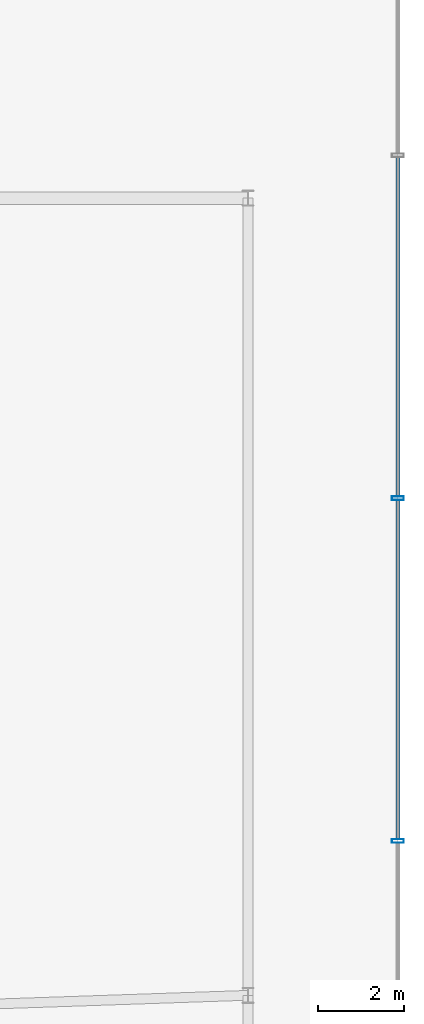
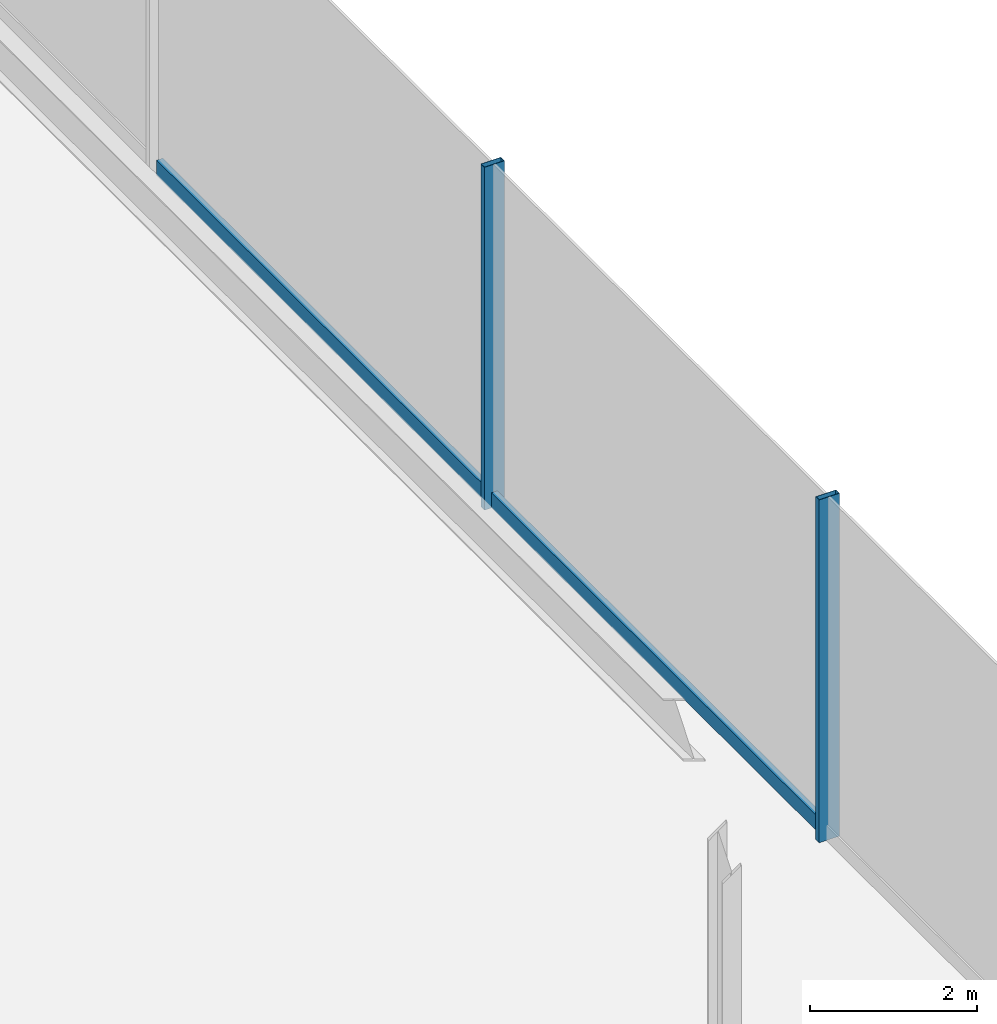
# One storey, part 25 of 39: 4 members, 1 element without a shape of its own.
"""IFC4 building model written with IfcOpenShell, lengths in metres."""

from ifc_helpers import new_model, si_unit, derived_unit, direction, frame, origin, origin_2d, place, context, subcontext, project, spatial, hollow_rectangle, extrude, source, transform, mapped, material, material_profile, profile_set, type_object, element, aggregate, save


model = new_model("IFC4")

# Units and contexts
model_context = context("Model", 3, precision=1e-05, world=origin(), true_north=direction((0.0, 1.0)))
body_context = subcontext(model_context, "Body", "Model", "MODEL_VIEW")
ifc_project = project(units=[si_unit("LENGTHUNIT", "METRE"), si_unit("AREAUNIT", "SQUARE_METRE"), si_unit("VOLUMEUNIT", "CUBIC_METRE"), si_unit("PLANEANGLEUNIT", "RADIAN"), si_unit("MASSUNIT", "GRAM", prefix="KILO"), derived_unit("THERMALTRANSMITTANCEUNIT", [(si_unit("POWERUNIT", "WATT"), 1), (si_unit("LENGTHUNIT", "METRE"), -2), (si_unit("THERMODYNAMICTEMPERATUREUNIT", "KELVIN"), -1)])], contexts=[model_context])

# Site, building, storey
site_placement = place(None, origin())
site = spatial("IfcSite", under=ifc_project, at=site_placement, CompositionType="ELEMENT")
building_placement = place(site_placement, origin())
building = spatial("IfcBuilding", under=site, at=building_placement, Name="Skarnbrae Concourse Arena and Tower", CompositionType="ELEMENT")
storey_placement = place(building_placement, frame((0.0, 0.0, 16.0)))
storey = spatial("IfcBuildingStorey", under=building, at=storey_placement, Name="L03", CompositionType="ELEMENT", Elevation=16.0)

# Curtain wall, members
ifc_material = material(Name="Bronze anodised aluminium 6063-T6", Category="aluminium")
curtain_wall_type = type_object("IfcCurtainWallType", Name="CW-SYS-01-PODIUM", PredefinedType="USERDEFINED", material=ifc_material)
curtain_wall_placement = place(storey_placement, origin())
curtain_wall = element("IfcCurtainWall", 1, at=curtain_wall_placement, inside=storey, type_object=curtain_wall_type, Name="L03 Unitised curtain wall CW-L03-E", ObjectType="UNITISED CURTAIN WALL", PredefinedType="USERDEFINED")
ifc_material_profile_1 = material_profile(ifc_material, hollow_rectangle(XDim=0.0849609375, YDim=0.280029296875, WallThickness=0.006103515625, at=origin_2d()), Name="ALU-MULL-85X280")
ifc_profile_set_1 = profile_set([ifc_material_profile_1], Name="Bronze anodised aluminium 6063-T6")
member_type_1 = type_object("IfcMemberType", Name="CWM-CW-01", PredefinedType="MULLION", material=ifc_profile_set_1)
shared_shape_1 = source(origin(), body_context, "Body", "SweptSolid", [
    extrude(hollow_rectangle(XDim=0.0849609375, YDim=0.280029296875, WallThickness=0.006103515625, at=origin_2d()), origin(), (0.0, 0.0, 1.0), 5.0),
])
member_1_placement = place(storey_placement, frame((82.0, 32.0, 0.0), z_axis=(0.0, 0.0, 1.0), x_axis=(0.0, 1.0, 0.0)))
member_1 = element("IfcMember", 2, at=member_1_placement, type_object=member_type_1, Name="CW-L03-E Mullion 5", PredefinedType="MULLION", context=body_context, shape_type="MappedRepresentation", body=[
    mapped(shared_shape_1, transform((0.0, 0.0, 0.0))),
])
member_2_placement = place(storey_placement, frame((82.0, 40.0, 0.0), z_axis=(0.0, 0.0, 1.0), x_axis=(0.0, 1.0, 0.0)))
member_2 = element("IfcMember", 3, at=member_2_placement, type_object=member_type_1, Name="CW-L03-E Mullion 6", PredefinedType="MULLION", context=body_context, shape_type="MappedRepresentation", body=[
    mapped(shared_shape_1, transform((0.0, 0.0, 0.0))),
])
ifc_material_profile_2 = material_profile(ifc_material, hollow_rectangle(XDim=0.0849609375, YDim=0.219970703125, WallThickness=0.006103515625, at=origin_2d()), Name="ALU-TRAN-85X220")
ifc_profile_set_2 = profile_set([ifc_material_profile_2], Name="Bronze anodised aluminium 6063-T6")
member_type_2 = type_object("IfcMemberType", Name="CWT-CW-01", PredefinedType="USERDEFINED", material=ifc_profile_set_2)
shared_shape_2 = source(origin(), body_context, "Body", "SweptSolid", [
    extrude(hollow_rectangle(XDim=0.0849609375, YDim=0.219970703125, WallThickness=0.006103515625, at=origin_2d()), origin(), (0.0, 0.0, 1.0), 7.9150390625),
])
member_3_placement = place(storey_placement, frame((82.0, 32.04248046875, 0.110107421875), z_axis=(0.0, 1.0, 0.0), x_axis=(-1.0, 0.0, 0.0)))
member_3 = element("IfcMember", 4, at=member_3_placement, type_object=member_type_2, Name="CW-L03-E Transom 5", ObjectType="TRANSOM", PredefinedType="USERDEFINED", context=body_context, shape_type="MappedRepresentation", body=[
    mapped(shared_shape_2, transform((0.0, 0.0, 0.0))),
])
member_4_placement = place(storey_placement, frame((82.0, 40.04248046875, 0.110107421875), z_axis=(0.0, 1.0, 0.0), x_axis=(-1.0, 0.0, 0.0)))
member_4 = element("IfcMember", 5, at=member_4_placement, type_object=member_type_2, Name="CW-L03-E Transom 6", ObjectType="TRANSOM", PredefinedType="USERDEFINED", context=body_context, shape_type="MappedRepresentation", body=[
    mapped(shared_shape_2, transform((0.0, 0.0, 0.0))),
])
aggregate(curtain_wall, [member_1, member_2, member_3, member_4])

save(model, "model.ifc")
